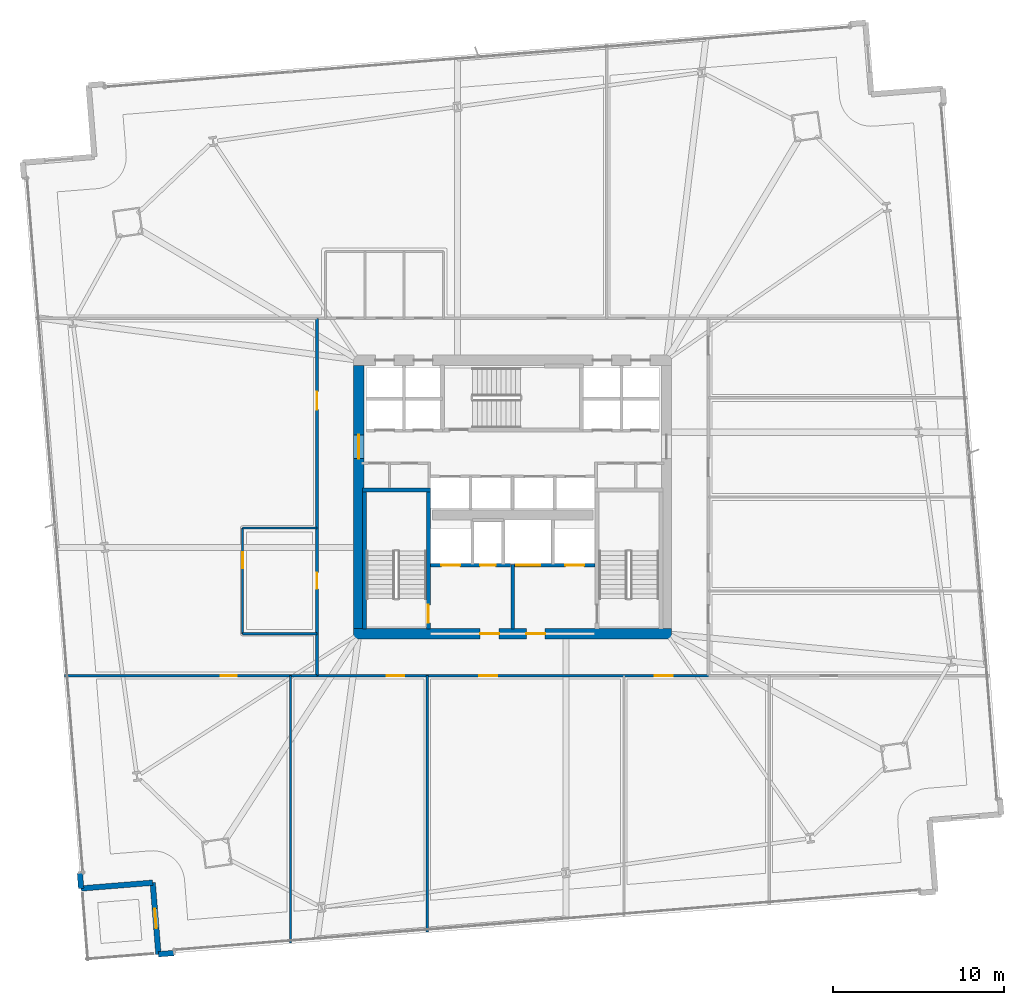
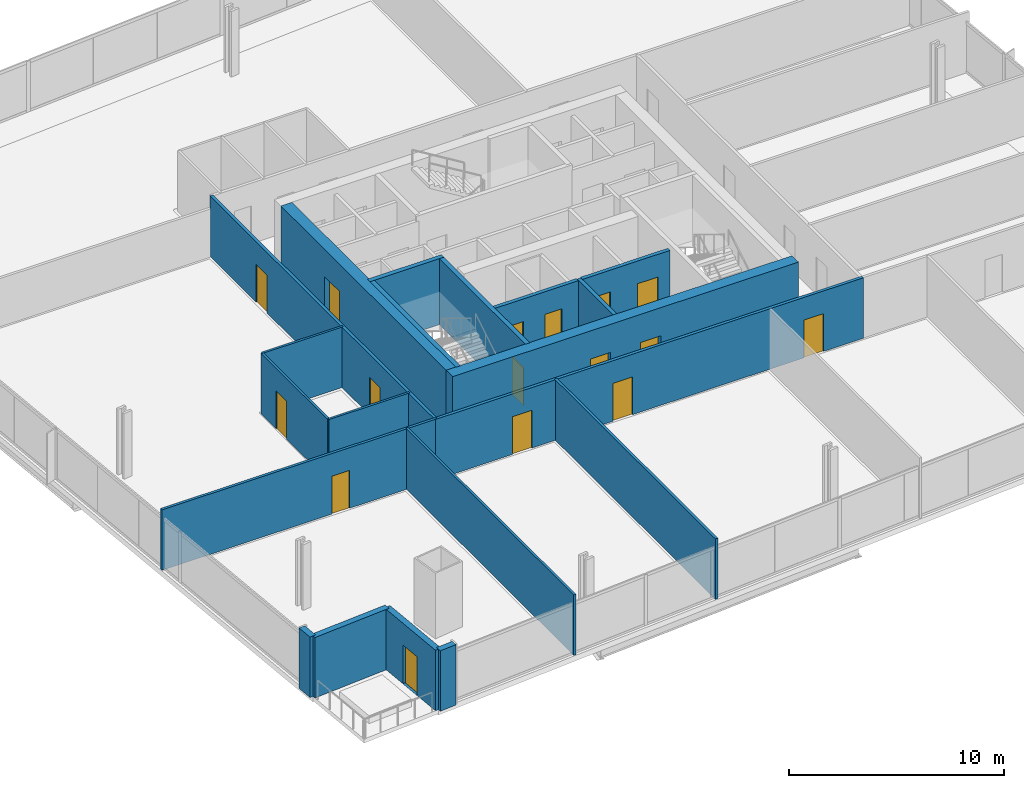
# One storey, part 25 of 33: 20 walls, 16 doors, 16 openings.
"""IFC4 building model written with IfcOpenShell, lengths in metres."""

from ifc_helpers import new_model, si_unit, direction, frame, frame_2d, origin, place, context, subcontext, project, spatial, rectangle, extrude, material, layer, layer_set, type_object, element, fill, save


model = new_model("IFC4")

# Units and contexts
model_context = context("Model", 3, precision=1e-05, world=origin(), true_north=direction((0.0, 1.0)))
body_context = subcontext(model_context, "Body", "Model", "MODEL_VIEW")
ifc_project = project(units=[si_unit("LENGTHUNIT", "METRE"), si_unit("AREAUNIT", "SQUARE_METRE"), si_unit("VOLUMEUNIT", "CUBIC_METRE"), si_unit("PLANEANGLEUNIT", "RADIAN"), si_unit("MASSUNIT", "GRAM", prefix="KILO")], contexts=[model_context])

# Site, building, storey
site_placement = place(None, origin())
site = spatial("IfcSite", under=ifc_project, at=site_placement, CompositionType="ELEMENT")
building_placement = place(site_placement, origin())
building = spatial("IfcBuilding", under=site, at=building_placement, Name="Haldenkirk Collegiate Tower", CompositionType="ELEMENT")
storey_placement = place(building_placement, frame((0.0, 0.0, 43.949951171875)))
storey = spatial("IfcBuildingStorey", under=building, at=storey_placement, Name="L09", CompositionType="ELEMENT", Elevation=43.949951171875)

# Wall, openings, doors
ifc_material_1 = material(Name="Concrete f'c 70 MPa", Category="concrete")
ifc_layer_1 = layer(ifc_material_1, 0.60009765625)
ifc_layer_set_1 = layer_set([ifc_layer_1], Name="Concrete f'c 70 MPa")
wall_type_1 = type_object("IfcWallType", Name="WL-CORE-600", PredefinedType="SHEAR", material=ifc_layer_set_1)
wall_1_placement = place(storey_placement, frame((26.699951171875, 18.0, 0.0), z_axis=(0.0, 0.0, 1.0), x_axis=(1.0, 0.0, 0.0)))
wall_1 = element("IfcWall", 1, at=wall_1_placement, inside=storey, type_object=wall_type_1, Name="L09 central core shear wall S", PredefinedType="SHEAR", context=body_context, shape_type="SweptSolid", body=[
    extrude(rectangle(XDim=18.60009765625, YDim=0.60009765625, at=frame_2d((9.300048828125, 0.0))), origin(), (0.0, 0.0, 1.0), 3.75),
])
opening_1_placement = place(wall_1_placement, frame((7.39990234375, 0.0, 0.0)))
opening_1 = element("IfcOpeningElement", 2, at=opening_1_placement, cuts=wall_1, Name="Opening D-02", PredefinedType="OPENING", context=body_context, shape_type="SweptSolid", body=[
    extrude(rectangle(XDim=1.10009765625, YDim=2.14990234375, at=frame_2d((0.550048828125, 1.074951171875))), frame((0.0, 0.31005859375, 0.0), z_axis=(0.0, -1.0, 0.0), x_axis=(1.0, 0.0, 0.0)), (0.0, 0.0, 1.0), 0.6201171875),
])
opening_2_placement = place(wall_1_placement, frame((10.10009765625, 0.0, 0.0)))
opening_2 = element("IfcOpeningElement", 3, at=opening_2_placement, cuts=wall_1, Name="Opening D-02", PredefinedType="OPENING", context=body_context, shape_type="SweptSolid", body=[
    extrude(rectangle(XDim=1.10009765625, YDim=2.14990234375, at=frame_2d((0.550048828125, 1.074951171875))), frame((0.0, 0.31005859375, 0.0), z_axis=(0.0, -1.0, 0.0), x_axis=(1.0, 0.0, 0.0)), (0.0, 0.0, 1.0), 0.6201171875),
])
ifc_material_2 = material(Name="Galvanized fire-rated hollow steel door", Category="steel")
ifc_layer_2 = layer(ifc_material_2, 0.06005859375)
ifc_layer_set_2 = layer_set([ifc_layer_2], Name="Galvanized fire-rated hollow steel door")
door_type_1 = type_object("IfcDoorType", Name="DR-STAIR-FD90-1100", OperationType="NOTDEFINED", PredefinedType="DOOR", material=ifc_layer_set_2)
door_1_placement = place(opening_1_placement, origin())
door_1 = element("IfcDoor", 4, at=door_1_placement, inside=storey, type_object=door_type_1, Name="L09 Firefighting Lobby 1 door", OperationType="SINGLE_SWING_LEFT", OverallHeight=2.14990234375, OverallWidth=1.10009765625, PredefinedType="DOOR", context=body_context, shape_type="SweptSolid", body=[
    extrude(rectangle(XDim=1.10009765625, YDim=2.14990234375, at=frame_2d((0.550048828125, 1.074951171875))), frame((0.0, 0.02490234375, 0.0), z_axis=(0.0, -1.0, 0.0), x_axis=(1.0, 0.0, 0.0)), (0.0, 0.0, 1.0), 0.050048828125),
])
fill(opening_1, door_1)
door_2_placement = place(opening_2_placement, origin())
door_2 = element("IfcDoor", 5, at=door_2_placement, inside=storey, type_object=door_type_1, Name="L09 Firefighting Lobby 2 door", OperationType="SINGLE_SWING_RIGHT", OverallHeight=2.14990234375, OverallWidth=1.10009765625, PredefinedType="DOOR", context=body_context, shape_type="SweptSolid", body=[
    extrude(rectangle(XDim=1.10009765625, YDim=2.14990234375, at=frame_2d((0.550048828125, 1.074951171875))), frame((0.0, 0.02490234375, 0.0), z_axis=(0.0, -1.0, 0.0), x_axis=(1.0, 0.0, 0.0)), (0.0, 0.0, 1.0), 0.050048828125),
])
fill(opening_2, door_2)

# Wall, opening, door
wall_2_placement = place(storey_placement, frame((27.0, 18.300048828125, 0.0), z_axis=(0.0, 0.0, 1.0), x_axis=(0.0, 1.0, 0.0)))
wall_2 = element("IfcWall", 6, at=wall_2_placement, inside=storey, type_object=wall_type_1, Name="L09 central core shear wall W", PredefinedType="SHEAR", context=body_context, shape_type="SweptSolid", body=[
    extrude(rectangle(XDim=15.39990234375, YDim=0.60009765625, at=frame_2d((7.699951171875, 0.0))), origin(), (0.0, 0.0, 1.0), 3.75),
])
opening_3_placement = place(wall_2_placement, frame((9.93994140625, 0.0, 0.0)))
opening_3 = element("IfcOpeningElement", 7, at=opening_3_placement, cuts=wall_2, Name="Opening D-03", PredefinedType="OPENING", context=body_context, shape_type="SweptSolid", body=[
    extrude(rectangle(XDim=1.39990234375, YDim=2.199951171875, at=frame_2d((0.699951171875, 1.10009765625))), frame((0.0, 0.31005859375, 0.0), z_axis=(0.0, -1.0, 0.0), x_axis=(1.0, 0.0, 0.0)), (0.0, 0.0, 1.0), 0.6201171875),
])
ifc_layer_3 = layer(ifc_material_2, 0.06005859375)
ifc_layer_set_3 = layer_set([ifc_layer_3], Name="Galvanized fire-rated hollow steel door")
door_type_2 = type_object("IfcDoorType", Name="DR-LOBBY-FD90-1400", OperationType="NOTDEFINED", PredefinedType="DOOR", material=ifc_layer_set_3)
door_3_placement = place(opening_3_placement, origin())
door_3 = element("IfcDoor", 8, at=door_3_placement, inside=storey, type_object=door_type_2, Name="L09 west lift lobby portal", OperationType="DOUBLE_DOOR_SINGLE_SWING", OverallHeight=2.199951171875, OverallWidth=1.39990234375, PredefinedType="DOOR", context=body_context, shape_type="SweptSolid", body=[
    extrude(rectangle(XDim=1.39990234375, YDim=2.199951171875, at=frame_2d((0.699951171875, 1.10009765625))), frame((0.0, 0.02490234375, 0.0), z_axis=(0.0, -1.0, 0.0), x_axis=(1.0, 0.0, 0.0)), (0.0, 0.0, 1.0), 0.050048828125),
])
fill(opening_3, door_3)

# Walls
ifc_material_3 = material(Name="Precast concrete f'c 40 MPa", Category="concrete")
ifc_layer_4 = layer(ifc_material_3, 0.320068359375)
ifc_layer_set_4 = layer_set([ifc_layer_4], Name="Precast concrete f'c 40 MPa")
wall_type_2 = type_object("IfcWallType", Name="WL-EXT-TWR-320", PredefinedType="STANDARD", material=ifc_layer_set_4)
for number, where, z_axis, x_axis, name in (
    (9, (16.175537109375, -0.67578125, 0.0), (0.0, 0.0, 1.0), (-0.996772011902, -0.080284221911, 0.0), "L09 precast corner pier SR"),
    (10, (10.755126953125, 3.1015625, 0.0), (0.0, 0.0, 1.0), (-0.080284221911, 0.996772011902, 0.0), "L09 precast corner pier WL"),
):
    element("IfcWall", number, at=place(storey_placement, frame(where, z_axis=z_axis, x_axis=x_axis)), inside=storey, type_object=wall_type_2, Name=name, PredefinedType="STANDARD", context=body_context, shape_type="SweptSolid", body=[
        extrude(rectangle(XDim=0.900146484375, YDim=0.320068359375, at=frame_2d((0.4501953125, 0.0))), origin(), (0.0, 0.0, 1.0), 3.43994140625),
    ])
wall_3_placement = place(storey_placement, frame((14.941650390625, 3.4384765625, 0.0), z_axis=(0.0, 0.0, 1.0), x_axis=(-0.996777462523, -0.080216520777, 0.0)))
element("IfcWall", 11, at=wall_3_placement, inside=storey, type_object=wall_type_2, Name="L09 bronze precast notch wall 11", PredefinedType="STANDARD", context=body_context, shape_type="SweptSolid", body=[
    extrude(rectangle(XDim=4.199951171875, YDim=0.320068359375, at=frame_2d((2.10009765625, 0.0))), origin(), (0.0, 0.0, 1.0), 3.43994140625),
])

# Wall, opening, door
wall_4_placement = place(storey_placement, frame((15.2783203125, -0.748046875, 0.0), z_axis=(0.0, 0.0, 1.0), x_axis=(-0.080158766495, 0.996782108665, 0.0)))
wall_4 = element("IfcWall", 12, at=wall_4_placement, inside=storey, type_object=wall_type_2, Name="L09 bronze precast notch wall 12", PredefinedType="STANDARD", context=body_context, shape_type="SweptSolid", body=[
    extrude(rectangle(XDim=4.199951171875, YDim=0.320068359375, at=frame_2d((2.10009765625, 0.0))), origin(), (0.0, 0.0, 1.0), 3.43994140625),
])
opening_4_placement = place(wall_4_placement, frame((1.52490234375, 0.0, 0.0)))
opening_4 = element("IfcOpeningElement", 13, at=opening_4_placement, cuts=wall_4, Name="Opening D-ST11", PredefinedType="OPENING", context=body_context, shape_type="SweptSolid", body=[
    extrude(rectangle(XDim=1.14990234375, YDim=2.199951171875, at=frame_2d((0.574951171875, 1.10009765625))), frame((0.0, 0.169921875, 0.0), z_axis=(0.0, -1.0, 0.0), x_axis=(1.0, 0.0, 0.0)), (0.0, 0.0, 1.0), 0.340087890625),
])
ifc_material_4 = material(Name="Anodised architectural bronze aluminium", Category="aluminium")
ifc_layer_5 = layer(ifc_material_4, 0.080078125)
ifc_layer_set_5 = layer_set([ifc_layer_5], Name="Anodised architectural bronze aluminium")
door_type_3 = type_object("IfcDoorType", Name="DR-EXT-STER-1150", OperationType="NOTDEFINED", PredefinedType="DOOR", material=ifc_layer_set_5)
door_4_placement = place(opening_4_placement, origin())
door_4 = element("IfcDoor", 14, at=door_4_placement, inside=storey, type_object=door_type_3, Name="L09 spiralling terrace door", OperationType="SINGLE_SWING_RIGHT", OverallHeight=2.199951171875, OverallWidth=1.14990234375, PredefinedType="DOOR", context=body_context, shape_type="SweptSolid", body=[
    extrude(rectangle(XDim=1.14990234375, YDim=2.199951171875, at=frame_2d((0.574951171875, 1.10009765625))), frame((0.0, 0.02490234375, 0.0), z_axis=(0.0, -1.0, 0.0), x_axis=(1.0, 0.0, 0.0)), (0.0, 0.0, 1.0), 0.050048828125),
])
fill(opening_4, door_4)

# Wall, openings, doors
ifc_material_5 = material(Name="Acoustic fire-rated gypsum partition", Category="concrete")
ifc_layer_6 = layer(ifc_material_5, 0.159912109375)
ifc_layer_set_6 = layer_set([ifc_layer_6], Name="Acoustic fire-rated gypsum partition")
wall_type_3 = type_object("IfcWallType", Name="WL-INT-CORR-160", PredefinedType="PARTITIONING", material=ifc_layer_set_6)
wall_5_placement = place(storey_placement, frame((24.5, 15.550048828125, 0.0), z_axis=(0.0, 0.0, 1.0), x_axis=(1.0, 0.0, 0.0)))
wall_5 = element("IfcWall", 15, at=wall_5_placement, inside=storey, type_object=wall_type_3, Name="L09 interior partition IW-L09-CS", PredefinedType="PARTITIONING", context=body_context, shape_type="SweptSolid", body=[
    extrude(rectangle(XDim=23.0, YDim=0.159912109375, at=frame_2d((11.5, 0.0))), origin(), (0.0, 0.0, 1.0), 3.43994140625),
])
opening_5_placement = place(wall_5_placement, frame((4.12109375, 0.0, 0.0)))
opening_5 = element("IfcOpeningElement", 16, at=opening_5_placement, cuts=wall_5, Name="Opening D-09", PredefinedType="OPENING", context=body_context, shape_type="SweptSolid", body=[
    extrude(rectangle(XDim=1.050048828125, YDim=2.14990234375, at=frame_2d((0.52490234375, 1.074951171875))), frame((0.0, 0.08984375, 0.0), z_axis=(0.0, -1.0, 0.0), x_axis=(1.0, 0.0, 0.0)), (0.0, 0.0, 1.0), 0.179931640625),
])
opening_6_placement = place(wall_5_placement, frame((9.534912109375, 0.0, 0.0)))
opening_6 = element("IfcOpeningElement", 17, at=opening_6_placement, cuts=wall_5, Name="Opening D-09", PredefinedType="OPENING", context=body_context, shape_type="SweptSolid", body=[
    extrude(rectangle(XDim=1.050048828125, YDim=2.14990234375, at=frame_2d((0.52490234375, 1.074951171875))), frame((0.0, 0.08984375, 0.0), z_axis=(0.0, -1.0, 0.0), x_axis=(1.0, 0.0, 0.0)), (0.0, 0.0, 1.0), 0.179931640625),
])
opening_7_placement = place(wall_5_placement, frame((19.80908203125, 0.0, 0.0)))
opening_7 = element("IfcOpeningElement", 18, at=opening_7_placement, cuts=wall_5, Name="Opening D-09", PredefinedType="OPENING", context=body_context, shape_type="SweptSolid", body=[
    extrude(rectangle(XDim=1.050048828125, YDim=2.14990234375, at=frame_2d((0.52490234375, 1.074951171875))), frame((0.0, 0.08984375, 0.0), z_axis=(0.0, -1.0, 0.0), x_axis=(1.0, 0.0, 0.0)), (0.0, 0.0, 1.0), 0.179931640625),
])
ifc_material_6 = material(Name="Solid-core architectural oak fire door", Category="wood")
ifc_layer_7 = layer(ifc_material_6, 0.06005859375)
ifc_layer_set_7 = layer_set([ifc_layer_7], Name="Solid-core architectural oak fire door")
door_type_4 = type_object("IfcDoorType", Name="DR-INT-FD60-1050", OperationType="NOTDEFINED", PredefinedType="DOOR", material=ifc_layer_set_7)
door_5_placement = place(opening_5_placement, origin())
door_5 = element("IfcDoor", 19, at=door_5_placement, inside=storey, type_object=door_type_4, Name="L09 Computational Design Studio 2 door", OperationType="SINGLE_SWING_RIGHT", OverallHeight=2.14990234375, OverallWidth=1.050048828125, PredefinedType="DOOR", context=body_context, shape_type="SweptSolid", body=[
    extrude(rectangle(XDim=1.050048828125, YDim=2.14990234375, at=frame_2d((0.52490234375, 1.074951171875))), frame((0.0, 0.02490234375, 0.0), z_axis=(0.0, -1.0, 0.0), x_axis=(1.0, 0.0, 0.0)), (0.0, 0.0, 1.0), 0.050048828125),
])
fill(opening_5, door_5)
door_6_placement = place(opening_6_placement, origin())
door_6 = element("IfcDoor", 20, at=door_6_placement, inside=storey, type_object=door_type_4, Name="L09 Robotics Fabrication Lab 3 door", OperationType="SINGLE_SWING_LEFT", OverallHeight=2.14990234375, OverallWidth=1.050048828125, PredefinedType="DOOR", context=body_context, shape_type="SweptSolid", body=[
    extrude(rectangle(XDim=1.050048828125, YDim=2.14990234375, at=frame_2d((0.52490234375, 1.074951171875))), frame((0.0, 0.02490234375, 0.0), z_axis=(0.0, -1.0, 0.0), x_axis=(1.0, 0.0, 0.0)), (0.0, 0.0, 1.0), 0.050048828125),
])
fill(opening_6, door_6)
door_7_placement = place(opening_7_placement, origin())
door_7 = element("IfcDoor", 21, at=door_7_placement, inside=storey, type_object=door_type_4, Name="L09 Environmental Lab 4 door", OperationType="SINGLE_SWING_RIGHT", OverallHeight=2.14990234375, OverallWidth=1.050048828125, PredefinedType="DOOR", context=body_context, shape_type="SweptSolid", body=[
    extrude(rectangle(XDim=1.050048828125, YDim=2.14990234375, at=frame_2d((0.52490234375, 1.074951171875))), frame((0.0, 0.02490234375, 0.0), z_axis=(0.0, -1.0, 0.0), x_axis=(1.0, 0.0, 0.0)), (0.0, 0.0, 1.0), 0.050048828125),
])
fill(opening_7, door_7)

wall_6_placement = place(storey_placement, frame((24.550048828125, 15.550048828125, 0.0), z_axis=(0.0, 0.0, 1.0), x_axis=(0.0, 1.0, 0.0)))
wall_6 = element("IfcWall", 22, at=wall_6_placement, inside=storey, type_object=wall_type_3, Name="L09 interior partition IW-L09-CW", PredefinedType="PARTITIONING", context=body_context, shape_type="SweptSolid", body=[
    extrude(rectangle(XDim=20.89990234375, YDim=0.159912109375, at=frame_2d((10.449951171875, 0.0))), origin(), (0.0, 0.0, 1.0), 3.43994140625),
])
opening_8_placement = place(wall_6_placement, frame((5.074951171875, 0.0, 0.0)))
opening_8 = element("IfcOpeningElement", 23, at=opening_8_placement, cuts=wall_6, Name="Opening D-10", PredefinedType="OPENING", context=body_context, shape_type="SweptSolid", body=[
    extrude(rectangle(XDim=0.949951171875, YDim=2.14990234375, at=frame_2d((0.47509765625, 1.074951171875))), frame((0.0, 0.08984375, 0.0), z_axis=(0.0, -1.0, 0.0), x_axis=(1.0, 0.0, 0.0)), (0.0, 0.0, 1.0), 0.179931640625),
])
opening_9_placement = place(wall_6_placement, frame((15.56298828125, 0.0, 0.0)))
opening_9 = element("IfcOpeningElement", 24, at=opening_9_placement, cuts=wall_6, Name="Opening D-09", PredefinedType="OPENING", context=body_context, shape_type="SweptSolid", body=[
    extrude(rectangle(XDim=1.050048828125, YDim=2.14990234375, at=frame_2d((0.52490234375, 1.074951171875))), frame((0.0, 0.08984375, 0.0), z_axis=(0.0, -1.0, 0.0), x_axis=(1.0, 0.0, 0.0)), (0.0, 0.0, 1.0), 0.179931640625),
])
door_8_placement = place(opening_9_placement, origin())
door_8 = element("IfcDoor", 25, at=door_8_placement, inside=storey, type_object=door_type_4, Name="L09 Computational Design Studio 8 door", OperationType="SINGLE_SWING_RIGHT", OverallHeight=2.14990234375, OverallWidth=1.050048828125, PredefinedType="DOOR", context=body_context, shape_type="SweptSolid", body=[
    extrude(rectangle(XDim=1.050048828125, YDim=2.14990234375, at=frame_2d((0.52490234375, 1.074951171875))), frame((0.0, 0.02490234375, 0.0), z_axis=(0.0, -1.0, 0.0), x_axis=(1.0, 0.0, 0.0)), (0.0, 0.0, 1.0), 0.050048828125),
])
fill(opening_9, door_8)
ifc_layer_8 = layer(ifc_material_6, 0.06005859375)
ifc_layer_set_8 = layer_set([ifc_layer_8], Name="Solid-core architectural oak fire door")
door_type_5 = type_object("IfcDoorType", Name="DR-INT-FD60-950", OperationType="NOTDEFINED", PredefinedType="DOOR", material=ifc_layer_set_8)
door_9_placement = place(opening_8_placement, origin())
door_9 = element("IfcDoor", 26, at=door_9_placement, inside=storey, type_object=door_type_5, Name="L09 West Faculty Tutorial Pod corridor door", OperationType="SINGLE_SWING_LEFT", OverallHeight=2.14990234375, OverallWidth=0.949951171875, PredefinedType="DOOR", context=body_context, shape_type="SweptSolid", body=[
    extrude(rectangle(XDim=0.949951171875, YDim=2.14990234375, at=frame_2d((0.47509765625, 1.074951171875))), frame((0.0, 0.02490234375, 0.0), z_axis=(0.0, -1.0, 0.0), x_axis=(1.0, 0.0, 0.0)), (0.0, 0.0, 1.0), 0.050048828125),
])
fill(opening_8, door_9)

# Wall, opening, door
ifc_layer_9 = layer(ifc_material_5, 0.139892578125)
ifc_layer_set_9 = layer_set([ifc_layer_9], Name="Acoustic fire-rated gypsum partition")
wall_type_4 = type_object("IfcWallType", Name="WL-INT-DIV-140", PredefinedType="PARTITIONING", material=ifc_layer_set_9)
wall_7_placement = place(storey_placement, frame((9.793701171875, 15.550048828125, 0.0), z_axis=(0.0, 0.0, 1.0), x_axis=(1.0, 0.0, 0.0)))
wall_7 = element("IfcWall", 27, at=wall_7_placement, inside=storey, type_object=wall_type_4, Name="L09 interior partition IW-L09-BWS", PredefinedType="PARTITIONING", context=body_context, shape_type="SweptSolid", body=[
    extrude(rectangle(XDim=14.75634765625, YDim=0.139892578125, at=frame_2d((7.378173828125, 0.0))), origin(), (0.0, 0.0, 1.0), 3.43994140625),
])
opening_10_placement = place(wall_7_placement, frame((9.12451171875, 0.0, 0.0)))
opening_10 = element("IfcOpeningElement", 28, at=opening_10_placement, cuts=wall_7, Name="Opening D-12", PredefinedType="OPENING", context=body_context, shape_type="SweptSolid", body=[
    extrude(rectangle(XDim=0.949951171875, YDim=2.14990234375, at=frame_2d((0.47509765625, 1.074951171875))), frame((0.0, 0.079833984375, 0.0), z_axis=(0.0, -1.0, 0.0), x_axis=(1.0, 0.0, 0.0)), (0.0, 0.0, 1.0), 0.159912109375),
])
ifc_layer_10 = layer(ifc_material_6, 0.06005859375)
ifc_layer_set_10 = layer_set([ifc_layer_10], Name="Solid-core architectural oak fire door")
door_type_6 = type_object("IfcDoorType", Name="DR-INT-STD-950", OperationType="NOTDEFINED", PredefinedType="DOOR", material=ifc_layer_set_10)
door_10_placement = place(opening_10_placement, origin())
door_10 = element("IfcDoor", 29, at=door_10_placement, inside=storey, type_object=door_type_6, Name="L09 Wet Science Laboratory 1 door", OperationType="SINGLE_SWING_LEFT", OverallHeight=2.14990234375, OverallWidth=0.949951171875, PredefinedType="DOOR", context=body_context, shape_type="SweptSolid", body=[
    extrude(rectangle(XDim=0.949951171875, YDim=2.14990234375, at=frame_2d((0.47509765625, 1.074951171875))), frame((0.0, 0.02490234375, 0.0), z_axis=(0.0, -1.0, 0.0), x_axis=(1.0, 0.0, 0.0)), (0.0, 0.0, 1.0), 0.050048828125),
])
fill(opening_10, door_10)

# Walls
wall_8_placement = place(storey_placement, frame((31.0, 0.55712890625, 0.0), z_axis=(0.0, 0.0, 1.0), x_axis=(0.0, 1.0, 0.0)))
element("IfcWall", 30, at=wall_8_placement, inside=storey, type_object=wall_type_4, Name="L09 interior partition IW-L09-RS2", PredefinedType="PARTITIONING", context=body_context, shape_type="SweptSolid", body=[
    extrude(rectangle(XDim=14.992919921875, YDim=0.139892578125, at=frame_2d((7.49658203125, 0.0))), origin(), (0.0, 0.0, 1.0), 3.43994140625),
])
ifc_material_7 = material(Name="Fire-rated gypsum shaftboard assembly", Category="concrete")
ifc_layer_11 = layer(ifc_material_7, 0.199951171875)
ifc_layer_set_11 = layer_set([ifc_layer_11], Name="Fire-rated gypsum shaftboard assembly")
wall_type_5 = type_object("IfcWallType", Name="WL-INT-SHAFT-200", PredefinedType="PARTITIONING", material=ifc_layer_set_11)
wall_9_placement = place(storey_placement, frame((36.0, 18.280029296875, 0.0), z_axis=(0.0, 0.0, 1.0), x_axis=(0.0, 1.0, 0.0)))
element("IfcWall", 31, at=wall_9_placement, inside=storey, type_object=wall_type_5, Name="L09 interior partition IW-L09-FFLM", PredefinedType="PARTITIONING", context=body_context, shape_type="SweptSolid", body=[
    extrude(rectangle(XDim=3.77001953125, YDim=0.199951171875, at=frame_2d((1.885009765625, 0.0))), origin(), (0.0, 0.0, 1.0), 3.43994140625),
])

# Wall, openings, doors
wall_10_placement = place(storey_placement, frame((31.18994140625, 22.0, 0.0), z_axis=(0.0, 0.0, 1.0), x_axis=(1.0, 0.0, 0.0)))
wall_10 = element("IfcWall", 32, at=wall_10_placement, inside=storey, type_object=wall_type_5, Name="L09 interior partition IW-L09-FFL1N", PredefinedType="PARTITIONING", context=body_context, shape_type="SweptSolid", body=[
    extrude(rectangle(XDim=4.68994140625, YDim=0.199951171875, at=frame_2d((2.344970703125, 0.0))), origin(), (0.0, 0.0, 1.0), 3.43994140625),
])
opening_11_placement = place(wall_10_placement, frame((2.909912109375, 0.0, 0.0)))
opening_11 = element("IfcOpeningElement", 33, at=opening_11_placement, cuts=wall_10, Name="Opening D-06", PredefinedType="OPENING", context=body_context, shape_type="SweptSolid", body=[
    extrude(rectangle(XDim=0.89990234375, YDim=2.14990234375, at=frame_2d((0.449951171875, 1.074951171875))), frame((0.0, 0.10986328125, 0.0), z_axis=(0.0, -1.0, 0.0), x_axis=(1.0, 0.0, 0.0)), (0.0, 0.0, 1.0), 0.219970703125),
])
opening_12_placement = place(wall_10_placement, frame((0.635009765625, 0.0, 0.0)))
opening_12 = element("IfcOpeningElement", 34, at=opening_12_placement, cuts=wall_10, Name="Opening LD-12", PredefinedType="OPENING", context=body_context, shape_type="SweptSolid", body=[
    extrude(rectangle(XDim=1.10009765625, YDim=2.14990234375, at=frame_2d((0.550048828125, 1.074951171875))), frame((0.0, 0.10986328125, 0.0), z_axis=(0.0, -1.0, 0.0), x_axis=(1.0, 0.0, 0.0)), (0.0, 0.0, 1.0), 0.219970703125),
])
ifc_layer_12 = layer(ifc_material_2, 0.06005859375)
ifc_layer_set_12 = layer_set([ifc_layer_12], Name="Galvanized fire-rated hollow steel door")
door_type_7 = type_object("IfcDoorType", Name="DR-INT-FD90-900", OperationType="NOTDEFINED", PredefinedType="DOOR", material=ifc_layer_set_12)
door_11_placement = place(opening_11_placement, origin())
door_11 = element("IfcDoor", 35, at=door_11_placement, inside=storey, type_object=door_type_7, Name="L09 electrical riser door", OperationType="SINGLE_SWING_LEFT", OverallHeight=2.14990234375, OverallWidth=0.89990234375, PredefinedType="DOOR", context=body_context, shape_type="SweptSolid", body=[
    extrude(rectangle(XDim=0.89990234375, YDim=2.14990234375, at=frame_2d((0.449951171875, 1.074951171875))), frame((0.0, 0.02490234375, 0.0), z_axis=(0.0, -1.0, 0.0), x_axis=(1.0, 0.0, 0.0)), (0.0, 0.0, 1.0), 0.050048828125),
])
fill(opening_11, door_11)
ifc_material_8 = material(Name="Brushed architectural stainless steel", Category="steel")
ifc_layer_13 = layer(ifc_material_8, 0.06005859375)
ifc_layer_set_13 = layer_set([ifc_layer_13], Name="Brushed architectural stainless steel")
door_type_8 = type_object("IfcDoorType", Name="LD-FIRE-1100", OperationType="NOTDEFINED", PredefinedType="DOOR", material=ifc_layer_set_13)
door_12_placement = place(opening_12_placement, origin())
door_12 = element("IfcDoor", 36, at=door_12_placement, inside=storey, type_object=door_type_8, Name="L09 Elevator FL1 sliding landing door", OperationType="SLIDING_TO_LEFT", OverallHeight=2.14990234375, OverallWidth=1.10009765625, PredefinedType="DOOR", context=body_context, shape_type="SweptSolid", body=[
    extrude(rectangle(XDim=1.10009765625, YDim=2.14990234375, at=frame_2d((0.550048828125, 1.074951171875))), frame((0.0, 0.02490234375, 0.0), z_axis=(0.0, -1.0, 0.0), x_axis=(1.0, 0.0, 0.0)), (0.0, 0.0, 1.0), 0.050048828125),
])
fill(opening_12, door_12)

wall_11_placement = place(storey_placement, frame((36.1201171875, 22.0, 0.0), z_axis=(0.0, 0.0, 1.0), x_axis=(1.0, 0.0, 0.0)))
wall_11 = element("IfcWall", 37, at=wall_11_placement, inside=storey, type_object=wall_type_5, Name="L09 interior partition IW-L09-FFL2N", PredefinedType="PARTITIONING", context=body_context, shape_type="SweptSolid", body=[
    extrude(rectangle(XDim=4.68994140625, YDim=0.199951171875, at=frame_2d((2.344970703125, 0.0))), origin(), (0.0, 0.0, 1.0), 3.43994140625),
])
opening_13_placement = place(wall_11_placement, frame((2.955078125, 0.0, 0.0)))
opening_13 = element("IfcOpeningElement", 38, at=opening_13_placement, cuts=wall_11, Name="Opening LD-12", PredefinedType="OPENING", context=body_context, shape_type="SweptSolid", body=[
    extrude(rectangle(XDim=1.10009765625, YDim=2.14990234375, at=frame_2d((0.550048828125, 1.074951171875))), frame((0.0, 0.10986328125, 0.0), z_axis=(0.0, -1.0, 0.0), x_axis=(1.0, 0.0, 0.0)), (0.0, 0.0, 1.0), 0.219970703125),
])
opening_14_placement = place(wall_11_placement, frame((0.080078125, 0.0, 0.0)))
opening_14 = element("IfcOpeningElement", 39, at=opening_14_placement, cuts=wall_11, Name="Opening LD-13", PredefinedType="OPENING", context=body_context, shape_type="SweptSolid", body=[
    extrude(rectangle(XDim=1.39990234375, YDim=2.199951171875, at=frame_2d((0.699951171875, 1.10009765625))), frame((0.0, 0.10986328125, 0.0), z_axis=(0.0, -1.0, 0.0), x_axis=(1.0, 0.0, 0.0)), (0.0, 0.0, 1.0), 0.219970703125),
])
door_13_placement = place(opening_13_placement, origin())
door_13 = element("IfcDoor", 40, at=door_13_placement, inside=storey, type_object=door_type_8, Name="L09 Elevator FL2 sliding landing door", OperationType="SLIDING_TO_LEFT", OverallHeight=2.14990234375, OverallWidth=1.10009765625, PredefinedType="DOOR", context=body_context, shape_type="SweptSolid", body=[
    extrude(rectangle(XDim=1.10009765625, YDim=2.14990234375, at=frame_2d((0.550048828125, 1.074951171875))), frame((0.0, 0.02490234375, 0.0), z_axis=(0.0, -1.0, 0.0), x_axis=(1.0, 0.0, 0.0)), (0.0, 0.0, 1.0), 0.050048828125),
])
fill(opening_13, door_13)
ifc_layer_14 = layer(ifc_material_8, 0.06005859375)
ifc_layer_set_14 = layer_set([ifc_layer_14], Name="Brushed architectural stainless steel")
door_type_9 = type_object("IfcDoorType", Name="LD-GOODS-1400", OperationType="NOTDEFINED", PredefinedType="DOOR", material=ifc_layer_set_14)
door_14_placement = place(opening_14_placement, origin())
door_14 = element("IfcDoor", 41, at=door_14_placement, inside=storey, type_object=door_type_9, Name="L09 Elevator GL1 sliding landing door", OperationType="SLIDING_TO_LEFT", OverallHeight=2.199951171875, OverallWidth=1.39990234375, PredefinedType="DOOR", context=body_context, shape_type="SweptSolid", body=[
    extrude(rectangle(XDim=1.39990234375, YDim=2.199951171875, at=frame_2d((0.699951171875, 1.10009765625))), frame((0.0, 0.02490234375, 0.0), z_axis=(0.0, -1.0, 0.0), x_axis=(1.0, 0.0, 0.0)), (0.0, 0.0, 1.0), 0.050048828125),
])
fill(opening_14, door_14)

# Walls
ifc_layer_15 = layer(ifc_material_5, 0.1201171875)
ifc_layer_set_15 = layer_set([ifc_layer_15], Name="Acoustic fire-rated gypsum partition")
wall_type_6 = type_object("IfcWallType", Name="WL-INT-WET-120", PredefinedType="PARTITIONING", material=ifc_layer_set_15)
wall_12_placement = place(storey_placement, frame((23.0, -0.086669921875, 0.0), z_axis=(0.0, 0.0, 1.0), x_axis=(0.0, 1.0, 0.0)))
element("IfcWall", 42, at=wall_12_placement, inside=storey, type_object=wall_type_6, Name="L09 interior partition IW-L09-RS1", PredefinedType="PARTITIONING", context=body_context, shape_type="SweptSolid", body=[
    extrude(rectangle(XDim=15.63671875, YDim=0.1201171875, at=frame_2d((7.818359375, 0.0))), origin(), (0.0, 0.0, 1.0), 3.43994140625),
])
wall_13_placement = place(storey_placement, frame((20.199951171875, 18.0, 0.0), z_axis=(0.0, 0.0, 1.0), x_axis=(1.0, 0.0, 0.0)))
element("IfcWall", 43, at=wall_13_placement, inside=storey, type_object=wall_type_6, Name="L09 interior partition IW-L09-SUBWS", PredefinedType="PARTITIONING", context=body_context, shape_type="SweptSolid", body=[
    extrude(rectangle(XDim=4.35009765625, YDim=0.1201171875, at=frame_2d((2.175048828125, 0.0))), origin(), (0.0, 0.0, 1.0), 3.43994140625),
])

# Wall, opening, door
wall_14_placement = place(storey_placement, frame((20.199951171875, 18.0, 0.0), z_axis=(0.0, 0.0, 1.0), x_axis=(0.0, 1.0, 0.0)))
wall_14 = element("IfcWall", 44, at=wall_14_placement, inside=storey, type_object=wall_type_6, Name="L09 interior partition IW-L09-SUBW", PredefinedType="PARTITIONING", context=body_context, shape_type="SweptSolid", body=[
    extrude(rectangle(XDim=6.199951171875, YDim=0.1201171875, at=frame_2d((3.10009765625, 0.0))), origin(), (0.0, 0.0, 1.0), 3.43994140625),
])
opening_15_placement = place(wall_14_placement, frame((3.824951171875, 0.0, 0.0)))
opening_15 = element("IfcOpeningElement", 45, at=opening_15_placement, cuts=wall_14, Name="Opening D-12", PredefinedType="OPENING", context=body_context, shape_type="SweptSolid", body=[
    extrude(rectangle(XDim=0.949951171875, YDim=2.14990234375, at=frame_2d((0.47509765625, 1.074951171875))), frame((0.0, 0.070068359375, 0.0), z_axis=(0.0, -1.0, 0.0), x_axis=(1.0, 0.0, 0.0)), (0.0, 0.0, 1.0), 0.14013671875),
])
door_15_placement = place(opening_15_placement, origin())
door_15 = element("IfcDoor", 46, at=door_15_placement, inside=storey, type_object=door_type_6, Name="L09 West Faculty Tutorial Pod suite door", OperationType="SINGLE_SWING_RIGHT", OverallHeight=2.14990234375, OverallWidth=0.949951171875, PredefinedType="DOOR", context=body_context, shape_type="SweptSolid", body=[
    extrude(rectangle(XDim=0.949951171875, YDim=2.14990234375, at=frame_2d((0.47509765625, 1.074951171875))), frame((0.0, 0.02490234375, 0.0), z_axis=(0.0, -1.0, 0.0), x_axis=(1.0, 0.0, 0.0)), (0.0, 0.0, 1.0), 0.050048828125),
])
fill(opening_15, door_15)

# Wall
wall_15_placement = place(storey_placement, frame((20.199951171875, 24.199951171875, 0.0), z_axis=(0.0, 0.0, 1.0), x_axis=(1.0, 0.0, 0.0)))
element("IfcWall", 47, at=wall_15_placement, inside=storey, type_object=wall_type_6, Name="L09 interior partition IW-L09-SUBWN", PredefinedType="PARTITIONING", context=body_context, shape_type="SweptSolid", body=[
    extrude(rectangle(XDim=4.35009765625, YDim=0.1201171875, at=frame_2d((2.175048828125, 0.0))), origin(), (0.0, 0.0, 1.0), 3.43994140625),
])

# Wall, opening, door
ifc_material_9 = material(Name="Concrete f'c 55 MPa", Category="concrete")
ifc_layer_16 = layer(ifc_material_9, 0.239990234375)
ifc_layer_set_16 = layer_set([ifc_layer_16], Name="Concrete f'c 55 MPa")
wall_type_7 = type_object("IfcWallType", Name="WL-SHAFT-240", PredefinedType="SHEAR", material=ifc_layer_set_16)
wall_16_placement = place(storey_placement, frame((31.070068359375, 18.280029296875, 0.0), z_axis=(0.0, 0.0, 1.0), x_axis=(0.0, 1.0, 0.0)))
wall_16 = element("IfcWall", 48, at=wall_16_placement, inside=storey, type_object=wall_type_7, Name="L09 stair shaft shear wall SW-L09-ST1E", PredefinedType="SHEAR", context=body_context, shape_type="SweptSolid", body=[
    extrude(rectangle(XDim=8.260009765625, YDim=0.239990234375, at=frame_2d((4.1298828125, 0.0))), origin(), (0.0, 0.0, 1.0), 3.75),
])
opening_16_placement = place(wall_16_placement, frame((0.364990234375, 0.0, 0.0)))
opening_16 = element("IfcOpeningElement", 49, at=opening_16_placement, cuts=wall_16, Name="Opening D-01", PredefinedType="OPENING", context=body_context, shape_type="SweptSolid", body=[
    extrude(rectangle(XDim=1.050048828125, YDim=2.14990234375, at=frame_2d((0.52490234375, 1.074951171875))), frame((0.0, 0.1298828125, 0.0), z_axis=(0.0, -1.0, 0.0), x_axis=(1.0, 0.0, 0.0)), (0.0, 0.0, 1.0), 0.260009765625),
])
ifc_layer_17 = layer(ifc_material_2, 0.06005859375)
ifc_layer_set_17 = layer_set([ifc_layer_17], Name="Galvanized fire-rated hollow steel door")
door_type_10 = type_object("IfcDoorType", Name="DR-STAIR-FD90-1050", OperationType="NOTDEFINED", PredefinedType="DOOR", material=ifc_layer_set_17)
door_16_placement = place(opening_16_placement, origin())
door_16 = element("IfcDoor", 50, at=door_16_placement, inside=storey, type_object=door_type_10, Name="L09 Stair 1 door", OperationType="SINGLE_SWING_LEFT", OverallHeight=2.14990234375, OverallWidth=1.050048828125, PredefinedType="DOOR", context=body_context, shape_type="SweptSolid", body=[
    extrude(rectangle(XDim=1.050048828125, YDim=2.14990234375, at=frame_2d((0.52490234375, 1.074951171875))), frame((0.0, 0.02490234375, 0.0), z_axis=(0.0, -1.0, 0.0), x_axis=(1.0, 0.0, 0.0)), (0.0, 0.0, 1.0), 0.050048828125),
])
fill(opening_16, door_16)

# Walls
wall_17_placement = place(storey_placement, frame((27.2099609375, 26.419921875, 0.0), z_axis=(0.0, 0.0, 1.0), x_axis=(1.0, 0.0, 0.0)))
element("IfcWall", 51, at=wall_17_placement, inside=storey, type_object=wall_type_7, Name="L09 stair shaft shear wall SW-L09-ST1N", PredefinedType="SHEAR", context=body_context, shape_type="SweptSolid", body=[
    extrude(rectangle(XDim=3.97998046875, YDim=0.239990234375, at=frame_2d((1.989990234375, 0.0))), origin(), (0.0, 0.0, 1.0), 3.75),
])
wall_18_placement = place(storey_placement, frame((27.330078125, 18.280029296875, 0.0), z_axis=(0.0, 0.0, 1.0), x_axis=(0.0, 1.0, 0.0)))
element("IfcWall", 52, at=wall_18_placement, inside=storey, type_object=wall_type_7, Name="L09 stair shaft shear wall SW-L09-ST1W", PredefinedType="SHEAR", context=body_context, shape_type="SweptSolid", body=[
    extrude(rectangle(XDim=8.260009765625, YDim=0.239990234375, at=frame_2d((4.1298828125, 0.0))), origin(), (0.0, 0.0, 1.0), 3.75),
])

save(model, "model.ifc")
